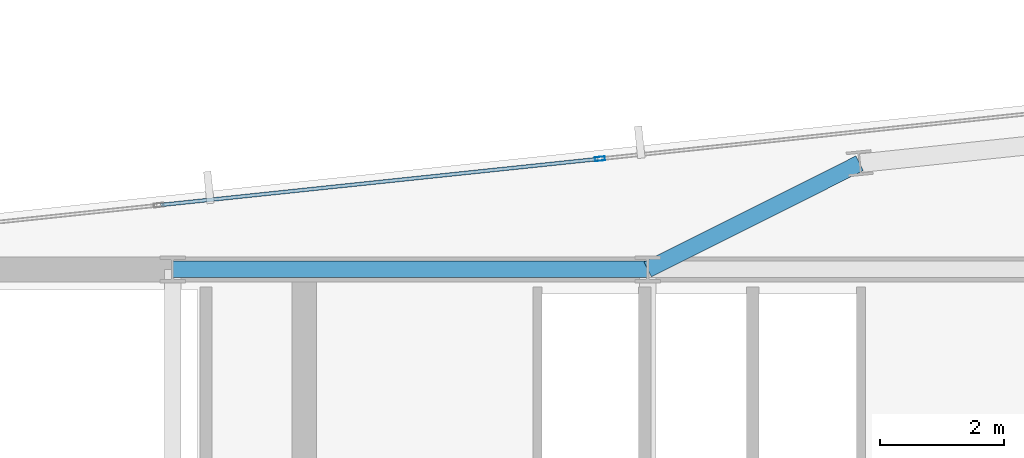
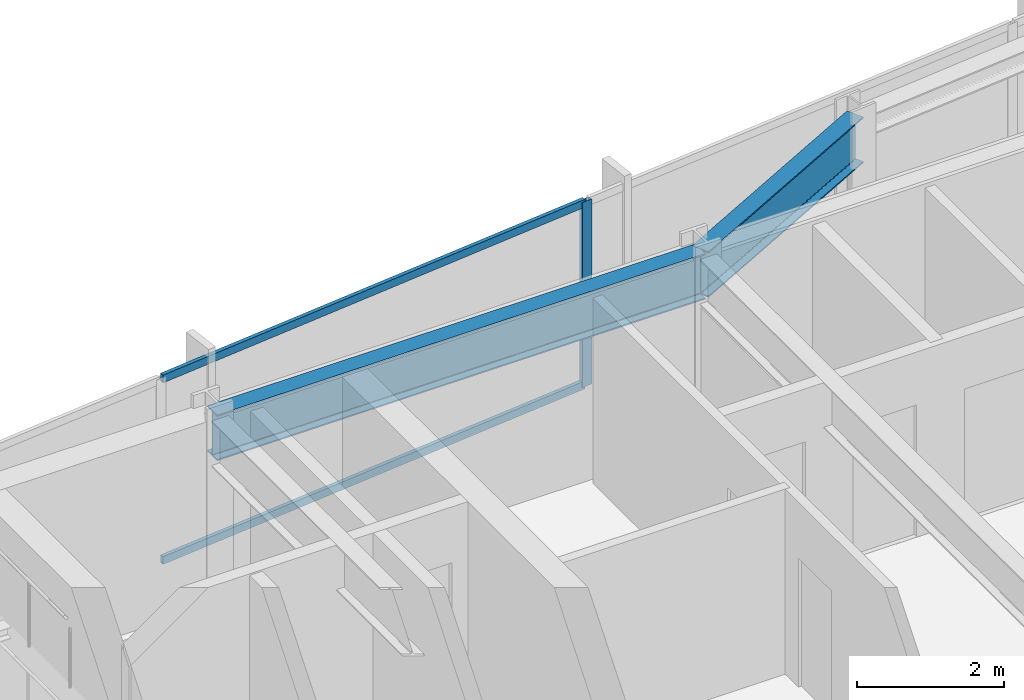
# One storey, part 21 of 33: 3 members, 2 beams, 1 element without a shape of its own.
"""IFC4 building model written with IfcOpenShell, lengths in metres."""

from ifc_helpers import new_model, si_unit, direction, frame, origin, origin_2d, place, context, subcontext, project, spatial, hollow_rectangle, i_section, extrude, material, material_profile, profile_set, type_object, element, aggregate, save


model = new_model("IFC4")

# Units and contexts
model_context = context("Model", 3, precision=1e-05, world=origin(), true_north=direction((0.0, 1.0)))
body_context = subcontext(model_context, "Body", "Model", "MODEL_VIEW")
ifc_project = project(units=[si_unit("LENGTHUNIT", "METRE"), si_unit("AREAUNIT", "SQUARE_METRE"), si_unit("VOLUMEUNIT", "CUBIC_METRE"), si_unit("PLANEANGLEUNIT", "RADIAN"), si_unit("MASSUNIT", "GRAM", prefix="KILO")], contexts=[model_context])

# Site, building, storey
site_placement = place(None, origin())
site = spatial("IfcSite", under=ifc_project, at=site_placement, CompositionType="ELEMENT")
building_placement = place(site_placement, origin())
building = spatial("IfcBuilding", under=site, at=building_placement, Name="Yelkora Congress Tower", CompositionType="ELEMENT")
storey_placement = place(building_placement, frame((0.0, 0.0, 230.89990234375)))
storey = spatial("IfcBuildingStorey", under=building, at=storey_placement, Name="L64", CompositionType="ELEMENT", Elevation=230.89990234375)

# Beams
ifc_material_1 = material(Name="Steel S355J2", Category="steel")
ifc_material_profile_1 = material_profile(ifc_material_1, i_section(OverallWidth=0.26708984375, OverallDepth=0.761962890625, WebThickness=0.014404296875, FlangeThickness=0.021484375, FilletRadius=0.01708984375, at=origin_2d()), Name="IPE 750x173")
ifc_profile_set_1 = profile_set([ifc_material_profile_1], Name="Steel S355J2")
beam_type = type_object("IfcBeamType", Name="BM-GIRD-IPE750", PredefinedType="BEAM", material=ifc_profile_set_1)
beam_1_placement = place(storey_placement, frame((30.719970703125, 46.199951171875, 2.69921875), z_axis=(1.0, 0.0, 0.0), x_axis=(0.0, 1.0, 0.0)))
element("IfcBeam", 1, at=beam_1_placement, inside=storey, type_object=beam_type, Name="L64 Core North Girder 3", PredefinedType="BEAM", context=body_context, shape_type="SweptSolid", body=[
    extrude(i_section(OverallWidth=0.26708984375, OverallDepth=0.761962890625, WebThickness=0.014404296875, FlangeThickness=0.021484375, FilletRadius=0.01708984375, at=origin_2d()), origin(), (0.0, 0.0, 1.0), 7.679931640625),
])
beam_2_placement = place(storey_placement, frame((41.828125, 47.91748046875, 2.69921875), z_axis=(-0.894070348256, -0.447926570288, 0.0), x_axis=(0.447926570288, -0.894070348256, 0.0)))
element("IfcBeam", 2, at=beam_2_placement, inside=storey, type_object=beam_type, Name="L64 Primary Frame Girder N04", PredefinedType="BEAM", context=body_context, shape_type="SweptSolid", body=[
    extrude(i_section(OverallWidth=0.26708984375, OverallDepth=0.761962890625, WebThickness=0.014404296875, FlangeThickness=0.021484375, FilletRadius=0.01708984375, at=origin_2d()), origin(), (0.0, 0.0, 1.0), 3.83447265625),
])

# Curtain wall, members
ifc_material_2 = material(Name="Anodised aluminium and insulated glass", Category="aluminium")
curtain_wall_type = type_object("IfcCurtainWallType", Name="CW-SYS-B4", PredefinedType="NOTDEFINED", material=ifc_material_2)
curtain_wall_placement = place(storey_placement, origin())
curtain_wall = element("IfcCurtainWall", 3, at=curtain_wall_placement, inside=storey, type_object=curtain_wall_type, Name="L64 Unitised Curtain Wall 10 (3)", PredefinedType="NOTDEFINED")
ifc_material_3 = material(Name="Anodised aluminium 6063-T6", Category="aluminium")
ifc_material_profile_2 = material_profile(ifc_material_3, hollow_rectangle(XDim=0.06494140625, YDim=0.159912109375, WallThickness=0.00390625, at=origin_2d()), Name="ALU 65x160x4")
ifc_profile_set_2 = profile_set([ifc_material_profile_2], Name="Anodised aluminium 6063-T6")
member_type_1 = type_object("IfcMemberType", Name="MEM-ML-B4", PredefinedType="MULLION", material=ifc_profile_set_2)
member_1_placement = place(storey_placement, frame((37.62744140625, 47.98876953125, 0.0), z_axis=(0.0, 0.0, 1.0), x_axis=(-0.104527724021, 0.994521973066, 0.0)))
member_1 = element("IfcMember", 4, at=member_1_placement, type_object=member_type_1, Name="CW-B4 mullion 3", PredefinedType="MULLION", context=body_context, shape_type="SweptSolid", body=[
    extrude(hollow_rectangle(XDim=0.06494140625, YDim=0.159912109375, WallThickness=0.00390625, at=origin_2d()), origin(), (0.0, 0.0, 1.0), 3.080078125),
])
ifc_material_profile_3 = material_profile(ifc_material_3, hollow_rectangle(XDim=0.06005859375, YDim=0.1298828125, WallThickness=0.00390625, at=origin_2d()), Name="ALU 60x130x4")
ifc_profile_set_3 = profile_set([ifc_material_profile_3], Name="Anodised aluminium 6063-T6")
member_type_2 = type_object("IfcMemberType", Name="MEM-TR-B4", PredefinedType="USERDEFINED", material=ifc_profile_set_3)
member_2_placement = place(storey_placement, frame((30.529052734375, 47.24267578125, 0.030029296875), z_axis=(0.99452200925, 0.104527379751, 0.0), x_axis=(-0.104527379751, 0.99452200925, 0.0)))
member_2 = element("IfcMember", 5, at=member_2_placement, type_object=member_type_2, Name="CW-B4 transom 2.1", ObjectType="TRANSOM", PredefinedType="USERDEFINED", context=body_context, shape_type="SweptSolid", body=[
    extrude(hollow_rectangle(XDim=0.06005859375, YDim=0.1298828125, WallThickness=0.00390625, at=origin_2d()), origin(), (0.0, 0.0, 1.0), 7.10498046875),
])
member_3_placement = place(storey_placement, frame((30.529052734375, 47.24267578125, 3.050048828125), z_axis=(0.99452200925, 0.104527379751, 0.0), x_axis=(-0.104527379751, 0.99452200925, 0.0)))
member_3 = element("IfcMember", 6, at=member_3_placement, type_object=member_type_2, Name="CW-B4 transom 2.2", ObjectType="TRANSOM", PredefinedType="USERDEFINED", context=body_context, shape_type="SweptSolid", body=[
    extrude(hollow_rectangle(XDim=0.06005859375, YDim=0.1298828125, WallThickness=0.00390625, at=origin_2d()), origin(), (0.0, 0.0, 1.0), 7.10498046875),
])
aggregate(curtain_wall, [member_1, member_2, member_3])

save(model, "model.ifc")
